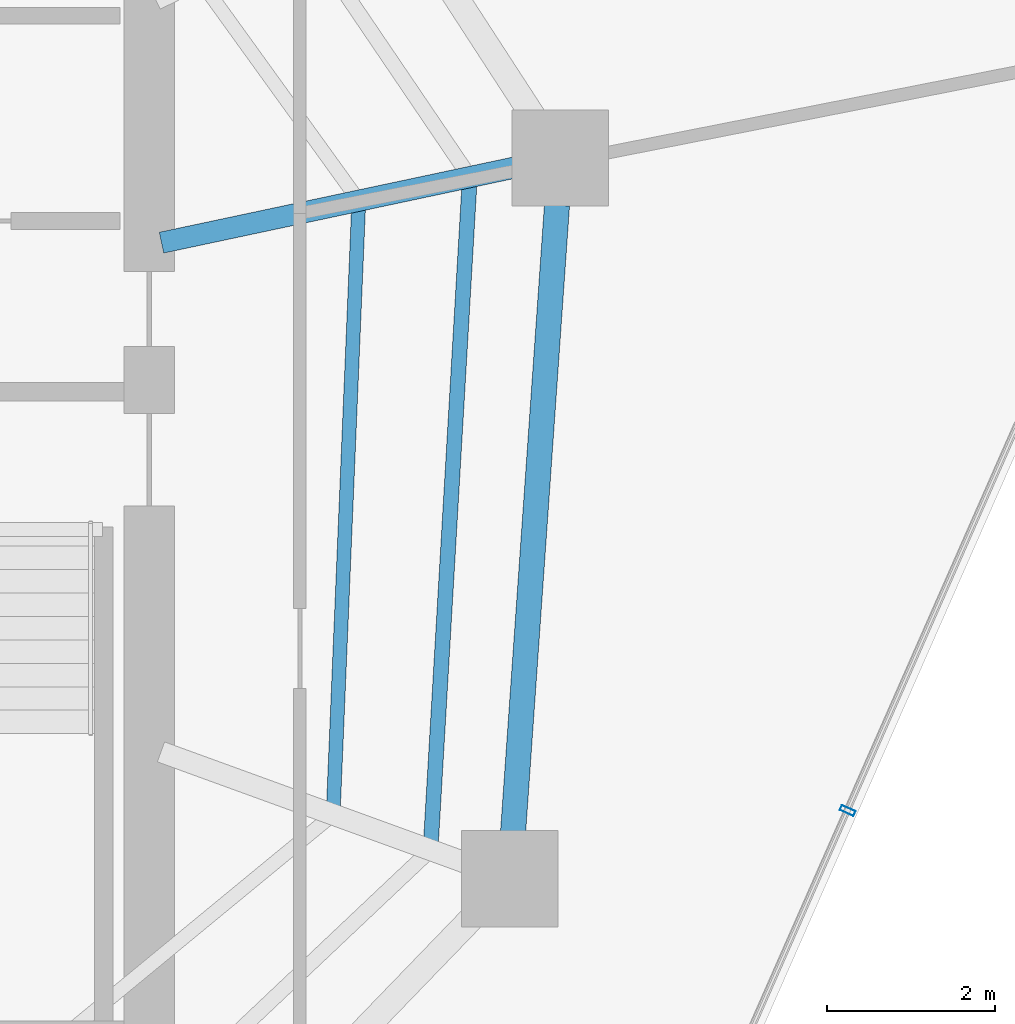
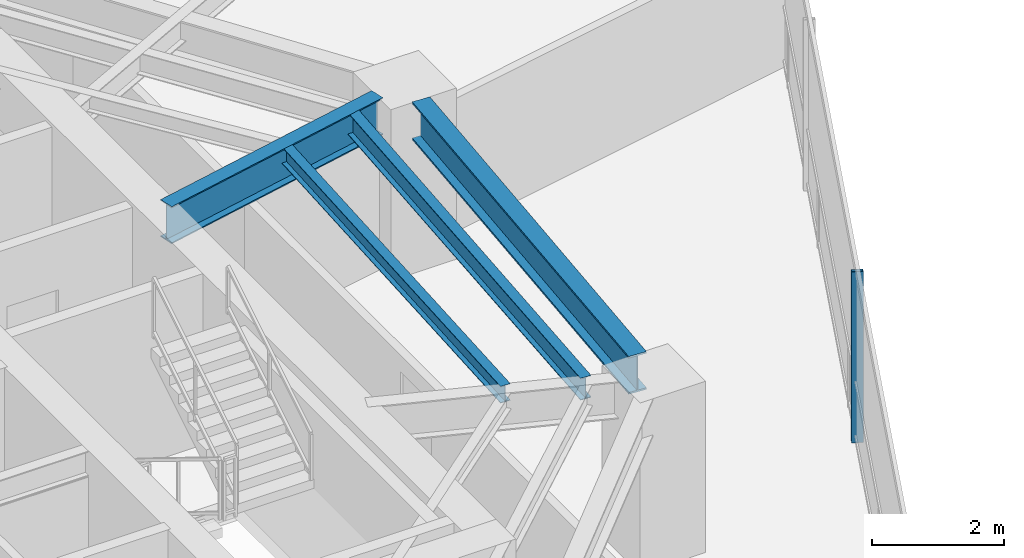
# One storey, part 13 of 30: 4 beams, 1 member, 1 element without a shape of its own.
"""IFC4 building model written with IfcOpenShell, lengths in metres."""

from ifc_helpers import new_model, si_unit, direction, frame, origin, origin_2d, place, context, subcontext, project, spatial, hollow_rectangle, i_section, extrude, material, layer, layer_set, material_profile, profile_set, type_object, element, aggregate, save


model = new_model("IFC4")

# Units and contexts
model_context = context("Model", 3, precision=1e-05, world=origin(), true_north=direction((0.0, 1.0)))
body_context = subcontext(model_context, "Body", "Model", "MODEL_VIEW")
ifc_project = project(units=[si_unit("LENGTHUNIT", "METRE"), si_unit("AREAUNIT", "SQUARE_METRE"), si_unit("VOLUMEUNIT", "CUBIC_METRE"), si_unit("PLANEANGLEUNIT", "RADIAN"), si_unit("MASSUNIT", "GRAM", prefix="KILO")], contexts=[model_context])

# Site, building, storey
site_placement = place(None, origin())
site = spatial("IfcSite", under=ifc_project, at=site_placement, CompositionType="ELEMENT")
building_placement = place(site_placement, origin())
building = spatial("IfcBuilding", under=site, at=building_placement, Name="Qarnah Convention Tower", CompositionType="ELEMENT")
storey_placement = place(building_placement, frame((0.0, 0.0, 90.14990234375)))
storey = spatial("IfcBuildingStorey", under=building, at=storey_placement, Name="L23", CompositionType="ELEMENT", Elevation=90.14990234375)

# Beams
ifc_material_1 = material(Name="Structural steel S355JR", Category="steel")
ifc_material_profile_1 = material_profile(ifc_material_1, i_section(OverallWidth=0.166015625, OverallDepth=0.31201171875, WebThickness=0.007080078125, FlangeThickness=0.010986328125, at=origin_2d()), Name="W310X45")
ifc_profile_set_1 = profile_set([ifc_material_profile_1], Name="Structural steel S355JR")
beam_type_1 = type_object("IfcBeamType", Name="BM-JST-W310", PredefinedType="JOIST", material=ifc_profile_set_1)
beam_1_placement = place(storey_placement, frame((49.800048828125, 21.905029296875, 3.01416015625), z_axis=(0.04180371464, 0.999125842646, 0.0), x_axis=(-0.999125842646, 0.04180371464, 0.0)))
element("IfcBeam", 1, at=beam_1_placement, inside=storey, type_object=beam_type_1, Name="L23 joist BM-L23-IJST-09", PredefinedType="JOIST", context=body_context, shape_type="SweptSolid", body=[
    extrude(i_section(OverallWidth=0.166015625, OverallDepth=0.31201171875, WebThickness=0.007080078125, FlangeThickness=0.010986328125, at=origin_2d()), origin(), (0.0, 0.0, 1.0), 7.154296875),
])
ifc_material_profile_2 = material_profile(ifc_material_1, i_section(OverallWidth=0.177978515625, OverallDepth=0.407958984375, WebThickness=0.008056640625, FlangeThickness=0.012939453125, at=origin_2d()), Name="W410X60")
ifc_profile_set_2 = profile_set([ifc_material_profile_2], Name="Structural steel S355JR")
beam_type_2 = type_object("IfcBeamType", Name="BM-JST-W410", PredefinedType="JOIST", material=ifc_profile_set_2)
beam_2_placement = place(storey_placement, frame((50.964111328125, 21.48193359375, 2.966064453125), z_axis=(0.058347234221, 0.998296348916, 0.0), x_axis=(-0.998296348916, 0.058347234221, 0.0)))
element("IfcBeam", 2, at=beam_2_placement, inside=storey, type_object=beam_type_2, Name="L23 joist BM-L23-SJST-09", PredefinedType="JOIST", context=body_context, shape_type="SweptSolid", body=[
    extrude(i_section(OverallWidth=0.177978515625, OverallDepth=0.407958984375, WebThickness=0.008056640625, FlangeThickness=0.012939453125, at=origin_2d()), origin(), (0.0, 0.0, 1.0), 7.866455078125),
])
ifc_material_profile_3 = material_profile(ifc_material_1, i_section(OverallWidth=0.25390625, OverallDepth=0.68798828125, WebThickness=0.012939453125, FlangeThickness=0.02099609375, at=origin_2d()), Name="W690X152")
ifc_profile_set_3 = profile_set([ifc_material_profile_3], Name="Structural steel S355JR")
beam_type_3 = type_object("IfcBeamType", Name="BM-RAD-W690", PredefinedType="BEAM", material=ifc_profile_set_3)
beam_3_placement = place(storey_placement, frame((47.7470703125, 28.64208984375, 2.826171875), z_axis=(0.978128480765, 0.20800162287, 0.0), x_axis=(-0.20800162287, 0.978128480765, 0.0)))
element("IfcBeam", 3, at=beam_3_placement, inside=storey, type_object=beam_type_3, Name="L23 beam BM-L23-RAD-01", PredefinedType="BEAM", context=body_context, shape_type="SweptSolid", body=[
    extrude(i_section(OverallWidth=0.25390625, OverallDepth=0.68798828125, WebThickness=0.012939453125, FlangeThickness=0.02099609375, at=origin_2d()), origin(), (0.0, 0.0, 1.0), 4.312255859375),
])
ifc_material_profile_4 = material_profile(ifc_material_1, i_section(OverallWidth=0.300048828125, OverallDepth=0.699951171875, WebThickness=0.01708984375, FlangeThickness=0.031982421875, at=origin_2d()), Name="HEB700")
ifc_profile_set_4 = profile_set([ifc_material_profile_4], Name="Structural steel S355JR")
beam_type_4 = type_object("IfcBeamType", Name="BM-RING-HEB700", PredefinedType="BEAM", material=ifc_profile_set_4)
beam_4_placement = place(storey_placement, frame((51.945068359375, 21.611083984375, 2.820068359375), z_axis=(0.069881623509, 0.997555291047, 0.0), x_axis=(-0.997555291047, 0.069881623509, 0.0)))
element("IfcBeam", 4, at=beam_4_placement, inside=storey, type_object=beam_type_4, Name="L23 beam BM-L23-SPN-09", PredefinedType="BEAM", context=body_context, shape_type="SweptSolid", body=[
    extrude(i_section(OverallWidth=0.300048828125, OverallDepth=0.699951171875, WebThickness=0.01708984375, FlangeThickness=0.031982421875, at=origin_2d()), origin(), (0.0, 0.0, 1.0), 7.497314453125),
])

# Curtain wall, member
ifc_material_2 = material(Name="Tempered Low-E dark glass", Category="glass")
ifc_layer = layer(ifc_material_2, 0.169921875)
ifc_layer_set = layer_set([ifc_layer], Name="Tempered Low-E dark glass")
curtain_wall_type = type_object("IfcCurtainWallType", Name="CWS-02", PredefinedType="NOTDEFINED", material=ifc_layer_set)
curtain_wall_placement = place(storey_placement, origin())
curtain_wall = element("IfcCurtainWall", 5, at=curtain_wall_placement, inside=storey, type_object=curtain_wall_type, Name="L23 unitised curtain wall CW-L23-F2", PredefinedType="NOTDEFINED")
ifc_material_3 = material(Name="Black anodised aluminium", Category="aluminium")
ifc_material_profile_5 = material_profile(ifc_material_3, hollow_rectangle(XDim=0.06494140625, YDim=0.179931640625, WallThickness=0.00390625, at=origin_2d()), Name="MUL-65X180")
ifc_profile_set_5 = profile_set([ifc_material_profile_5], Name="Black anodised aluminium")
member_type = type_object("IfcMemberType", Name="MUL-T2", PredefinedType="MULLION", material=ifc_profile_set_5)
member_placement = place(storey_placement, frame((55.9384765625, 21.862060546875, 0.0), z_axis=(0.0, 0.0, 1.0), x_axis=(-0.402913592041, -0.915238022237, 0.0)))
member = element("IfcMember", 6, at=member_placement, type_object=member_type, Name="CW-L23-F2 mullion 3", PredefinedType="MULLION", context=body_context, shape_type="SweptSolid", body=[
    extrude(hollow_rectangle(XDim=0.06494140625, YDim=0.179931640625, WallThickness=0.00390625, at=origin_2d()), origin(), (0.0, 0.0, 1.0), 3.170166015625),
])
aggregate(curtain_wall, [member])

save(model, "model.ifc")
